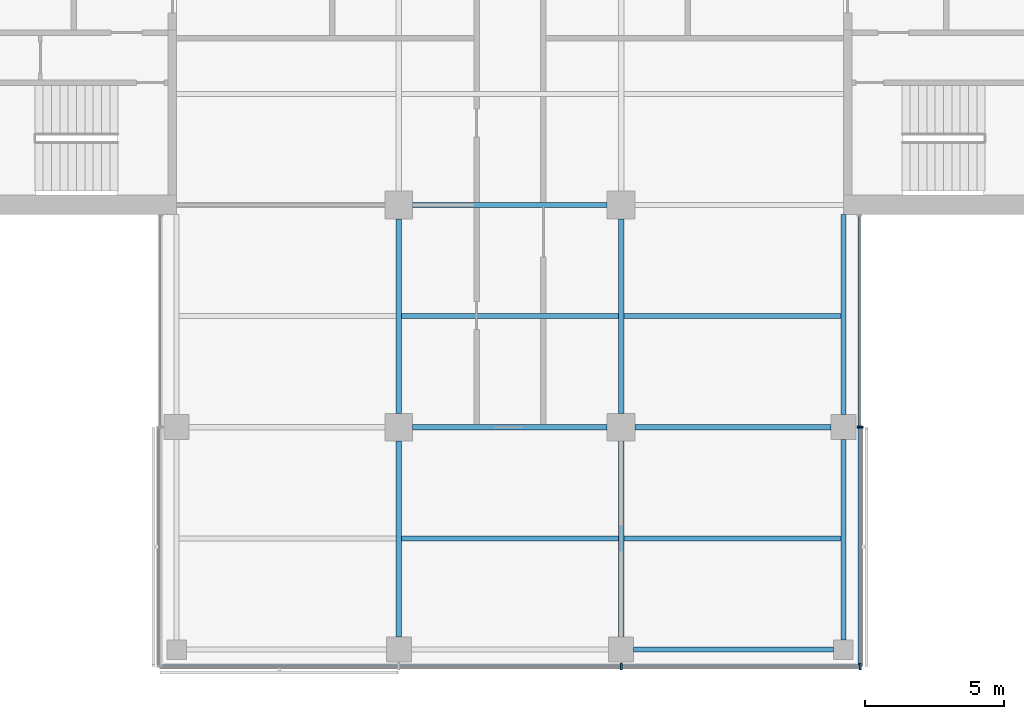
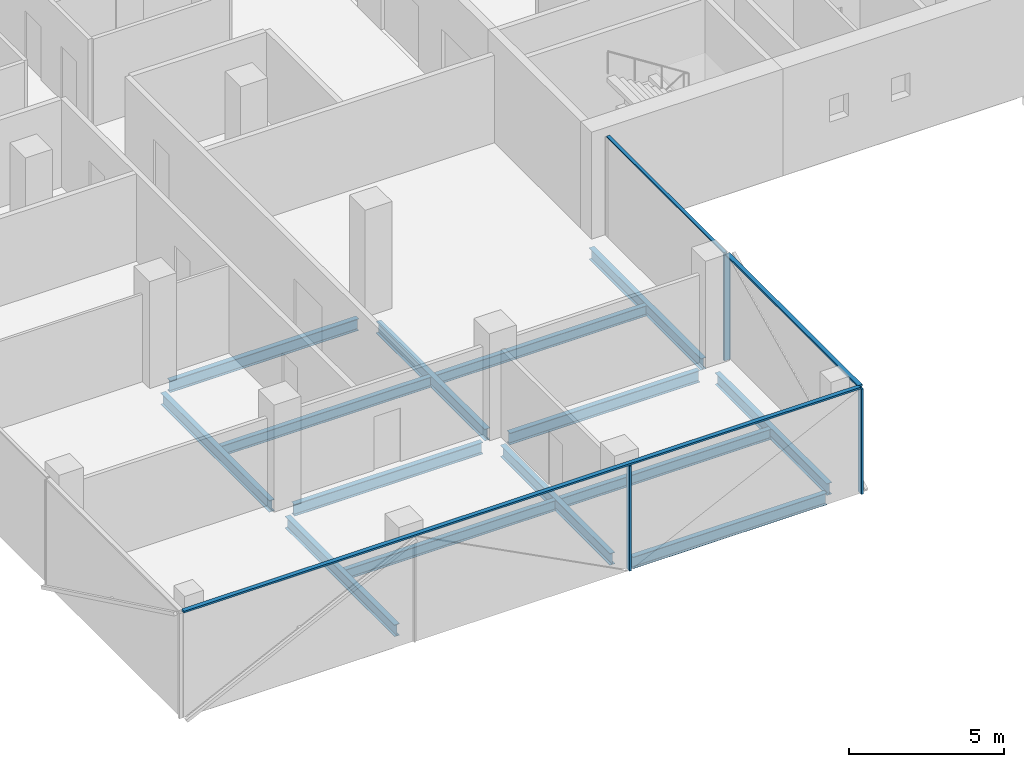
# One storey, part 5 of 22: 14 beams, 7 members, 3 elements without a shape of their own.
"""IFC4 building model written with IfcOpenShell, lengths in metres."""

from ifc_helpers import new_model, si_unit, direction, frame, origin, origin_2d, place, context, subcontext, project, spatial, rectangle, i_section, extrude, material, material_profile, profile_set, type_object, element, aggregate, save


model = new_model("IFC4")

# Units and contexts
model_context = context("Model", 3, precision=1e-05, world=origin(), true_north=direction((0.0, 1.0)))
body_context = subcontext(model_context, "Body", "Model", "MODEL_VIEW")
ifc_project = project(units=[si_unit("LENGTHUNIT", "METRE"), si_unit("AREAUNIT", "SQUARE_METRE"), si_unit("VOLUMEUNIT", "CUBIC_METRE"), si_unit("PLANEANGLEUNIT", "RADIAN"), si_unit("MASSUNIT", "GRAM", prefix="KILO")], contexts=[model_context])

# Site, building, storey
site_placement = place(None, origin())
site = spatial("IfcSite", under=ifc_project, at=site_placement, CompositionType="ELEMENT")
building_placement = place(site_placement, origin())
building = spatial("IfcBuilding", under=site, at=building_placement, Name="Crosswind Convention Tower", CompositionType="ELEMENT")
storey_placement = place(building_placement, frame((0.0, 0.0, 146.300048828125)))
storey = spatial("IfcBuildingStorey", under=building, at=storey_placement, Name="L30", CompositionType="ELEMENT", Elevation=146.300048828125)

# Beams
ifc_material_1 = material(Name="Steel S355", Category="steel")
ifc_material_profile_1 = material_profile(ifc_material_1, i_section(OverallWidth=0.18994140625, OverallDepth=0.45361328125, WebThickness=0.008544921875, FlangeThickness=0.0126953125, FilletRadius=0.01025390625, at=origin_2d()), Name="UB 457x191x67")
ifc_profile_set_1 = profile_set([ifc_material_profile_1], Name="Steel S355")
beam_type_1 = type_object("IfcBeamType", Name="Edge beam UB 457x191x67", PredefinedType="SPANDREL", material=ifc_profile_set_1)
for number, where, z_axis, x_axis, name in (
    (1, (129.449951171875, 72.0, -0.52685546875), (1.0, 0.0, 0.0), (0.0, 1.0, 0.0), "B16 L30 edge beam 14"),
    (2, (137.0, 72.35009765625, -0.52685546875), (0.0, 1.0, 0.0), (-1.0, 0.0, 0.0), "B16 L30 edge beam 16"),
    (3, (137.0, 80.449951171875, -0.52685546875), (0.0, 1.0, 0.0), (-1.0, 0.0, 0.0), "B16 L30 edge beam 17"),
):
    element("IfcBeam", number, at=place(storey_placement, frame(where, z_axis=z_axis, x_axis=x_axis)), inside=storey, type_object=beam_type_1, Name=name, PredefinedType="SPANDREL", context=body_context, shape_type="SweptSolid", body=[
        extrude(i_section(OverallWidth=0.18994140625, OverallDepth=0.45361328125, WebThickness=0.008544921875, FlangeThickness=0.0126953125, FilletRadius=0.01025390625, at=origin_2d()), origin(), (0.0, 0.0, 1.0), 7.199951171875),
    ])
ifc_material_profile_2 = material_profile(ifc_material_1, i_section(OverallWidth=0.19140625, OverallDepth=0.460205078125, WebThickness=0.010009765625, FlangeThickness=0.01611328125, FilletRadius=0.01025390625, at=origin_2d()), Name="UB 457x191x82")
ifc_profile_set_2 = profile_set([ifc_material_profile_2], Name="Steel S355")
beam_type_2 = type_object("IfcBeamType", Name="Girder UB 457x191x82", PredefinedType="BEAM", material=ifc_profile_set_2)
beam_1_placement = place(storey_placement, frame((121.0, 72.449951171875, -0.530029296875), z_axis=(0.0, 1.0, 0.0), x_axis=(-1.0, 0.0, 0.0)))
element("IfcBeam", 4, at=beam_1_placement, inside=storey, type_object=beam_type_2, Name="B3 L30 girder 3", PredefinedType="BEAM", context=body_context, shape_type="SweptSolid", body=[
    extrude(i_section(OverallWidth=0.19140625, OverallDepth=0.460205078125, WebThickness=0.010009765625, FlangeThickness=0.01611328125, FilletRadius=0.01025390625, at=origin_2d()), origin(), (0.0, 0.0, 1.0), 7.050048828125),
])
for number, where, z_axis, x_axis, name in (
    (5, (121.0, 80.5, -0.530029296875), (0.0, 1.0, 0.0), (-1.0, 0.0, 0.0), "B3 L30 girder 4"),
    (6, (121.5, 80.0, -0.530029296875), (1.0, 0.0, 0.0), (0.0, 1.0, 0.0), "B3 L30 girder 10"),
    (7, (121.5, 88.0, -0.530029296875), (1.0, 0.0, 0.0), (0.0, 1.0, 0.0), "B3 L30 girder 11"),
):
    element("IfcBeam", number, at=place(storey_placement, frame(where, z_axis=z_axis, x_axis=x_axis)), inside=storey, type_object=beam_type_2, Name=name, PredefinedType="BEAM", context=body_context, shape_type="SweptSolid", body=[
        extrude(i_section(OverallWidth=0.19140625, OverallDepth=0.460205078125, WebThickness=0.010009765625, FlangeThickness=0.01611328125, FilletRadius=0.01025390625, at=origin_2d()), origin(), (0.0, 0.0, 1.0), 7.0),
    ])
beam_2_placement = place(storey_placement, frame((129.0, 72.449951171875, -0.530029296875), z_axis=(0.0, 1.0, 0.0), x_axis=(-1.0, 0.0, 0.0)))
element("IfcBeam", 8, at=beam_2_placement, inside=storey, type_object=beam_type_2, Name="B3 L30 girder 16", PredefinedType="BEAM", context=body_context, shape_type="SweptSolid", body=[
    extrude(i_section(OverallWidth=0.19140625, OverallDepth=0.460205078125, WebThickness=0.010009765625, FlangeThickness=0.01611328125, FilletRadius=0.01025390625, at=origin_2d()), origin(), (0.0, 0.0, 1.0), 7.050048828125),
])
beam_3_placement = place(storey_placement, frame((129.0, 80.5, -0.530029296875), z_axis=(0.0, 1.0, 0.0), x_axis=(-1.0, 0.0, 0.0)))
element("IfcBeam", 9, at=beam_3_placement, inside=storey, type_object=beam_type_2, Name="B3 L30 girder 17", PredefinedType="BEAM", context=body_context, shape_type="SweptSolid", body=[
    extrude(i_section(OverallWidth=0.19140625, OverallDepth=0.460205078125, WebThickness=0.010009765625, FlangeThickness=0.01611328125, FilletRadius=0.01025390625, at=origin_2d()), origin(), (0.0, 0.0, 1.0), 7.0),
])
beam_4_placement = place(storey_placement, frame((129.5, 80.0, -0.530029296875), z_axis=(1.0, 0.0, 0.0), x_axis=(0.0, 1.0, 0.0)))
element("IfcBeam", 10, at=beam_4_placement, inside=storey, type_object=beam_type_2, Name="B3 L30 girder 23", PredefinedType="BEAM", context=body_context, shape_type="SweptSolid", body=[
    extrude(i_section(OverallWidth=0.19140625, OverallDepth=0.460205078125, WebThickness=0.010009765625, FlangeThickness=0.01611328125, FilletRadius=0.01025390625, at=origin_2d()), origin(), (0.0, 0.0, 1.0), 7.050048828125),
])

# Curtain wall, member
ifc_material_2 = material(Name="Aluminium unitised curtain wall", Category="aluminium")
curtain_wall_type_1 = type_object("IfcCurtainWallType", Name="CORE END SLOT WALL 160", PredefinedType="USERDEFINED", material=ifc_material_2)
curtain_wall_1_placement = place(storey_placement, origin())
curtain_wall_1 = element("IfcCurtainWall", 11, at=curtain_wall_1_placement, inside=storey, type_object=curtain_wall_type_1, Name="CW6 L30 S-E.1-2 slot", ObjectType="UNITISED", PredefinedType="USERDEFINED")
ifc_material_3 = material(Name="Aluminium mullion", Category="aluminium")
ifc_material_profile_3 = material_profile(ifc_material_3, rectangle(XDim=0.159912109375, YDim=0.050048828125, at=origin_2d()), Name="AL 160X50")
ifc_profile_set_3 = profile_set([ifc_material_profile_3], Name="Aluminium mullion")
member_type_1 = type_object("IfcMemberType", Name="MULLION 50X160", PredefinedType="MULLION", material=ifc_profile_set_3)
member_1_placement = place(storey_placement, frame((137.580078125, 80.02490234375, -0.300048828125), z_axis=(0.0, 0.0, 1.0), x_axis=(1.0, 0.0, 0.0)))
member_1 = element("IfcMember", 12, at=member_1_placement, type_object=member_type_1, Name="CW6 mullion 1", PredefinedType="MULLION", context=body_context, shape_type="SweptSolid", body=[
    extrude(rectangle(XDim=0.159912109375, YDim=0.050048828125, at=origin_2d()), origin(), (0.0, 0.0, 1.0), 4.14990234375),
])

# Curtain wall, members
curtain_wall_type_2 = type_object("IfcCurtainWallType", Name="OFFICE UNITISED WALL 220", PredefinedType="USERDEFINED", material=ifc_material_2)
curtain_wall_2_placement = place(storey_placement, origin())
curtain_wall_2 = element("IfcCurtainWall", 13, at=curtain_wall_2_placement, inside=storey, type_object=curtain_wall_type_2, Name="CW3 L30 S-TIP 1", ObjectType="UNITISED", PredefinedType="USERDEFINED")
ifc_material_profile_4 = material_profile(ifc_material_3, rectangle(XDim=0.219970703125, YDim=0.070068359375, at=origin_2d()), Name="AL 220X70")
ifc_profile_set_4 = profile_set([ifc_material_profile_4], Name="Aluminium mullion")
member_type_2 = type_object("IfcMemberType", Name="MULLION 70X220", PredefinedType="MULLION", material=ifc_profile_set_4)
member_2_placement = place(storey_placement, frame((129.0, 71.389892578125, -0.300048828125), z_axis=(0.0, 0.0, 1.0), x_axis=(0.0, -1.0, 0.0)))
member_2 = element("IfcMember", 14, at=member_2_placement, type_object=member_type_2, Name="CW3 mullion 3", PredefinedType="MULLION", context=body_context, shape_type="SweptSolid", body=[
    extrude(rectangle(XDim=0.219970703125, YDim=0.070068359375, at=origin_2d()), origin(), (0.0, 0.0, 1.0), 4.1298828125),
])
member_3_placement = place(storey_placement, frame((137.610107421875, 71.389892578125, -0.300048828125), z_axis=(0.0, 0.0, 1.0), x_axis=(0.0, -1.0, 0.0)))
member_3 = element("IfcMember", 15, at=member_3_placement, type_object=member_type_2, Name="CW3 mullion 4", PredefinedType="MULLION", context=body_context, shape_type="SweptSolid", body=[
    extrude(rectangle(XDim=0.219970703125, YDim=0.070068359375, at=origin_2d()), origin(), (0.0, 0.0, 1.0), 4.1298828125),
])

# Curtain wall, member
curtain_wall_3_placement = place(storey_placement, origin())
curtain_wall_3 = element("IfcCurtainWall", 16, at=curtain_wall_3_placement, inside=storey, type_object=curtain_wall_type_2, Name="CW3 L30 S-E 1", ObjectType="UNITISED", PredefinedType="USERDEFINED")
member_4_placement = place(storey_placement, frame((137.610107421875, 80.0, -0.300048828125), z_axis=(0.0, 0.0, 1.0), x_axis=(1.0, 0.0, 0.0)))
member_4 = element("IfcMember", 17, at=member_4_placement, type_object=member_type_2, Name="CW3 mullion 2", PredefinedType="MULLION", context=body_context, shape_type="SweptSolid", body=[
    extrude(rectangle(XDim=0.219970703125, YDim=0.070068359375, at=origin_2d()), origin(), (0.0, 0.0, 1.0), 4.1298828125),
])

# Beams
ifc_material_profile_5 = material_profile(ifc_material_1, i_section(OverallWidth=0.177734375, OverallDepth=0.406494140625, WebThickness=0.0078125, FlangeThickness=0.0126953125, FilletRadius=0.01025390625, at=origin_2d()), Name="UB 406x178x60")
ifc_profile_set_5 = profile_set([ifc_material_profile_5], Name="Steel S355")
beam_type_3 = type_object("IfcBeamType", Name="Secondary beam UB 406x178x60", PredefinedType="JOIST", material=ifc_profile_set_5)
for number, where, z_axis, x_axis, name in (
    (18, (121.095703125, 76.0, -0.503173828125), (1.0, 0.0, 0.0), (0.0, 1.0, 0.0), "B10 L30 secondary beam 11"),
    (19, (121.095703125, 84.0, -0.503173828125), (1.0, 0.0, 0.0), (0.0, 1.0, 0.0), "B10 L30 secondary beam 12"),
):
    element("IfcBeam", number, at=place(storey_placement, frame(where, z_axis=z_axis, x_axis=x_axis)), inside=storey, type_object=beam_type_3, Name=name, PredefinedType="JOIST", context=body_context, shape_type="SweptSolid", body=[
        extrude(i_section(OverallWidth=0.177734375, OverallDepth=0.406494140625, WebThickness=0.0078125, FlangeThickness=0.0126953125, FilletRadius=0.01025390625, at=origin_2d()), origin(), (0.0, 0.0, 1.0), 7.80859375),
    ])
for number, where, z_axis, x_axis, name in (
    (20, (129.095703125, 76.0, -0.503173828125), (1.0, 0.0, 0.0), (0.0, 1.0, 0.0), "B10 L30 secondary beam 18"),
    (21, (129.095703125, 84.0, -0.503173828125), (1.0, 0.0, 0.0), (0.0, 1.0, 0.0), "B10 L30 secondary beam 19"),
):
    element("IfcBeam", number, at=place(storey_placement, frame(where, z_axis=z_axis, x_axis=x_axis)), inside=storey, type_object=beam_type_3, Name=name, PredefinedType="JOIST", context=body_context, shape_type="SweptSolid", body=[
        extrude(i_section(OverallWidth=0.177734375, OverallDepth=0.406494140625, WebThickness=0.0078125, FlangeThickness=0.0126953125, FilletRadius=0.01025390625, at=origin_2d()), origin(), (0.0, 0.0, 1.0), 7.809326171875),
    ])

# Member
ifc_material_4 = material(Name="Aluminium transom", Category="aluminium")
ifc_material_profile_6 = material_profile(ifc_material_4, rectangle(XDim=0.1201171875, YDim=0.050048828125, at=origin_2d()), Name="AL 120X50")
ifc_profile_set_6 = profile_set([ifc_material_profile_6], Name="Aluminium transom")
member_type_3 = type_object("IfcMemberType", Name="TRANSOM 50X120", PredefinedType="USERDEFINED", material=ifc_profile_set_6)
member_5_placement = place(storey_placement, frame((137.580078125, 80.050048828125, 3.875), z_axis=(0.0, 1.0, 0.0), x_axis=(-1.0, 0.0, 0.0)))
member_5 = element("IfcMember", 22, at=member_5_placement, type_object=member_type_3, Name="CW6 transom", ObjectType="TRANSOM", PredefinedType="USERDEFINED", context=body_context, shape_type="SweptSolid", body=[
    extrude(rectangle(XDim=0.1201171875, YDim=0.050048828125, at=origin_2d()), origin(), (0.0, 0.0, 1.0), 7.550048828125),
])

aggregate(curtain_wall_1, [member_1, member_5])

ifc_material_profile_7 = material_profile(ifc_material_4, rectangle(XDim=0.159912109375, YDim=0.070068359375, at=origin_2d()), Name="AL 160X70")
ifc_profile_set_7 = profile_set([ifc_material_profile_7], Name="Aluminium transom")
member_type_4 = type_object("IfcMemberType", Name="TRANSOM 70X160", PredefinedType="USERDEFINED", material=ifc_profile_set_7)
member_6_placement = place(storey_placement, frame((112.425048828125, 71.389892578125, 3.864990234375), z_axis=(1.0, 0.0, 0.0), x_axis=(0.0, 1.0, 0.0)))
member_6 = element("IfcMember", 23, at=member_6_placement, type_object=member_type_4, Name="CW3 transom", ObjectType="TRANSOM", PredefinedType="USERDEFINED", context=body_context, shape_type="SweptSolid", body=[
    extrude(rectangle(XDim=0.159912109375, YDim=0.070068359375, at=origin_2d()), origin(), (0.0, 0.0, 1.0), 25.14990234375),
])

aggregate(curtain_wall_2, [member_2, member_3, member_6])

member_7_placement = place(storey_placement, frame((137.610107421875, 71.425048828125, 3.864990234375), z_axis=(0.0, 1.0, 0.0), x_axis=(-1.0, 0.0, 0.0)))
member_7 = element("IfcMember", 24, at=member_7_placement, type_object=member_type_4, Name="CW3 transom", ObjectType="TRANSOM", PredefinedType="USERDEFINED", context=body_context, shape_type="SweptSolid", body=[
    extrude(rectangle(XDim=0.159912109375, YDim=0.070068359375, at=origin_2d()), origin(), (0.0, 0.0, 1.0), 8.5400390625),
])

aggregate(curtain_wall_3, [member_4, member_7])

save(model, "model.ifc")
